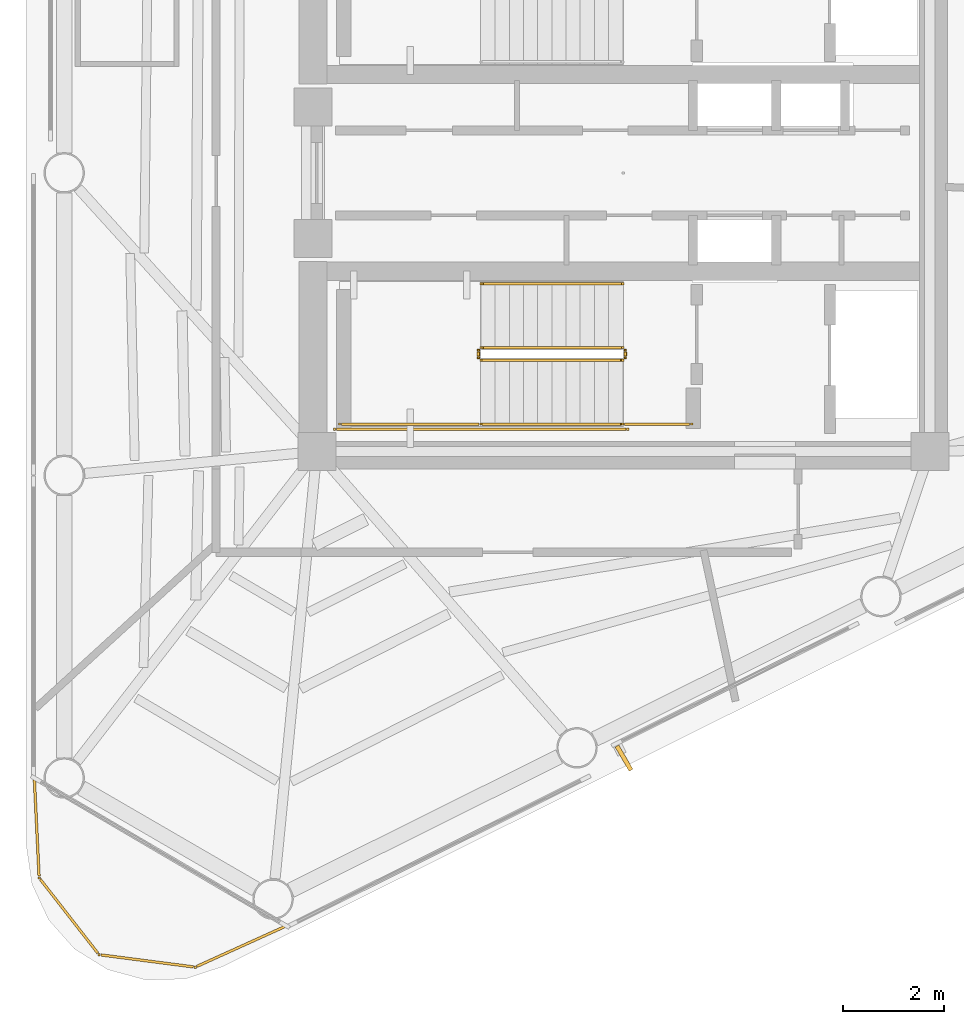
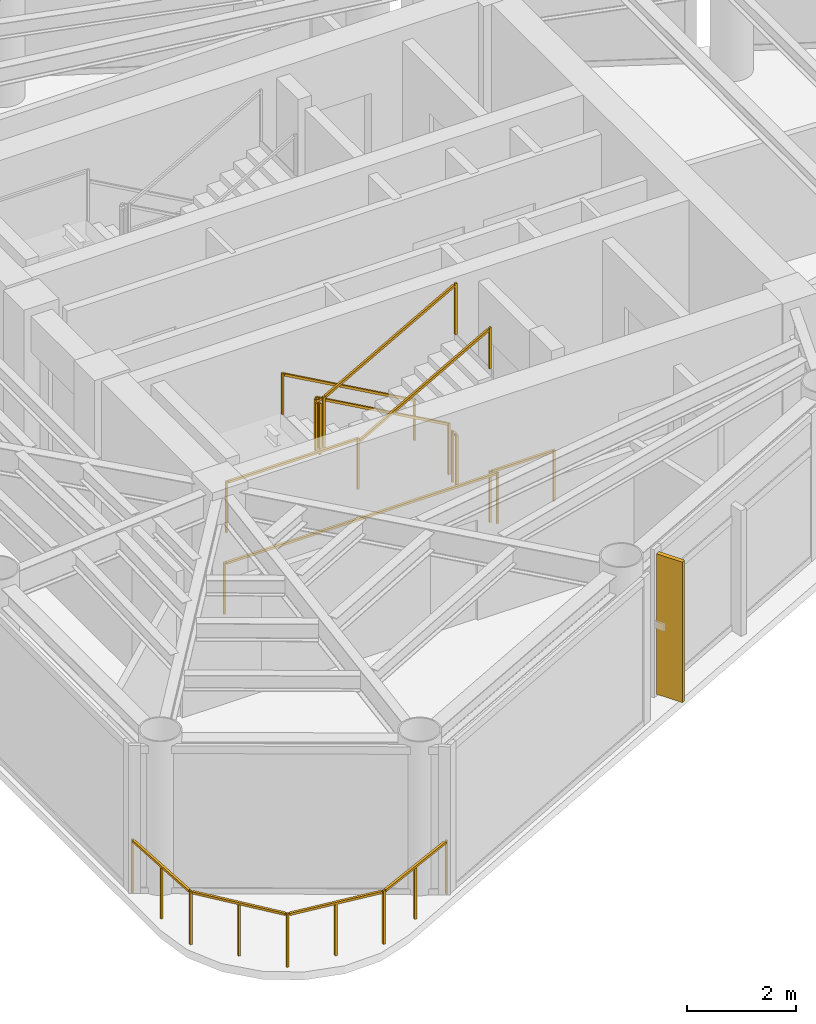
# One storey, part 7 of 10: 10 railings, 1 shading device.
"""IFC4 building model written with IfcOpenShell, lengths in metres."""

from ifc_helpers import new_model, si_unit, direction, frame, origin, origin_2d, place, context, subcontext, project, spatial, rectangle, extrude, source, transform, mapped, material, material_profile, profile_set, type_object, element, save


model = new_model("IFC4")

# Units and contexts
model_context = context("Model", 3, precision=1e-05, world=origin(), true_north=direction((0.0, 1.0)))
body_context = subcontext(model_context, "Body", "Model", "MODEL_VIEW")
ifc_project = project(units=[si_unit("LENGTHUNIT", "METRE"), si_unit("AREAUNIT", "SQUARE_METRE"), si_unit("VOLUMEUNIT", "CUBIC_METRE"), si_unit("PLANEANGLEUNIT", "RADIAN"), si_unit("MASSUNIT", "GRAM", prefix="KILO")], contexts=[model_context])

# Site, building, storey
site_placement = place(None, origin())
site = spatial("IfcSite", under=ifc_project, at=site_placement, CompositionType="ELEMENT")
building_placement = place(site_placement, origin())
building = spatial("IfcBuilding", under=site, at=building_placement, Name="Yunling Apex Tower", CompositionType="ELEMENT")
storey_placement = place(building_placement, frame((0.0, 0.0, 293.300048828125)))
storey = spatial("IfcBuildingStorey", under=building, at=storey_placement, Name="L71", CompositionType="ELEMENT", Elevation=293.300048828125)

# Railings
ifc_material_1 = material(Name="Bronze anodised aluminium", Category="aluminium")
railing_type_1 = type_object("IfcRailingType", Name="RL-BAL-1200", PredefinedType="BALUSTRADE", material=ifc_material_1)
railing_1_placement = place(storey_placement, frame((-6.651123046875, -14.864990234375, 0.0)))
element("IfcRailing", 1, at=railing_1_placement, inside=storey, type_object=railing_type_1, Name="RL-CRNSILL-L71-3", PredefinedType="BALUSTRADE", context=body_context, shape_type="SweptSolid", body=[
    extrude(rectangle(XDim=0.0439453125, YDim=0.0439453125, at=origin_2d()), origin(), (0.0, 0.0, 1.0), 1.199951171875),
    extrude(rectangle(XDim=0.0439453125, YDim=0.0439453125, at=origin_2d()), frame((-1.799560546875, -0.814697265625, 0.0)), (0.0, 0.0, 1.0), 1.199951171875),
    extrude(rectangle(XDim=0.050048828125, YDim=0.050048828125, at=origin_2d()), frame((-0.034912109375, -0.015869140625, 1.1748046875), z_axis=(-0.910991856267, -0.412424341929, 0.0), x_axis=(0.412424341929, -0.910991856267, 0.0)), (0.0, 0.0, 1.0), 1.898681640625),
    extrude(rectangle(XDim=0.0439453125, YDim=0.0439453125, at=origin_2d()), frame((-0.89990234375, -0.4072265625, 0.0)), (0.0, 0.0, 1.0), 1.14599609375),
    extrude(rectangle(XDim=0.0439453125, YDim=0.0439453125, at=origin_2d()), frame((-3.69921875, -0.568603515625, 0.0)), (0.0, 0.0, 1.0), 1.199951171875),
    extrude(rectangle(XDim=0.050048828125, YDim=0.050048828125, at=origin_2d()), frame((-1.837646484375, -0.809814453125, 1.1748046875), z_axis=(-0.991713034877, 0.128472784881, 0.0), x_axis=(-0.128472784881, -0.991713034877, 0.0)), (0.0, 0.0, 1.0), 1.8388671875),
    extrude(rectangle(XDim=0.0439453125, YDim=0.0439453125, at=origin_2d()), frame((-2.74951171875, -0.691650390625, 0.0)), (0.0, 0.0, 1.0), 1.14599609375),
    extrude(rectangle(XDim=0.0439453125, YDim=0.0439453125, at=origin_2d()), frame((-4.880126953125, 0.947265625, 0.0)), (0.0, 0.0, 1.0), 1.199951171875),
    extrude(rectangle(XDim=0.050048828125, YDim=0.050048828125, at=origin_2d()), frame((-3.72265625, -0.538330078125, 1.1748046875), z_axis=(-0.61455614591, 0.788873084548, 0.0), x_axis=(-0.788873084548, -0.61455614591, 0.0)), (0.0, 0.0, 1.0), 1.844970703125),
    extrude(rectangle(XDim=0.0439453125, YDim=0.0439453125, at=origin_2d()), frame((-4.28955078125, 0.189453125, 0.0)), (0.0, 0.0, 1.0), 1.14599609375),
    extrude(rectangle(XDim=0.0439453125, YDim=0.0439453125, at=origin_2d()), frame((-4.97607421875, 2.919677734375, 0.0)), (0.0, 0.0, 1.0), 1.199951171875),
    extrude(rectangle(XDim=0.050048828125, YDim=0.050048828125, at=origin_2d()), frame((-4.882080078125, 0.985595703125, 1.1748046875), z_axis=(-0.048587182269, 0.998818945415, 0.0), x_axis=(-0.998818945415, -0.048587182269, 0.0)), (0.0, 0.0, 1.0), 1.898193359375),
    extrude(rectangle(XDim=0.0439453125, YDim=0.0439453125, at=origin_2d()), frame((-4.92822265625, 1.93359375, 0.0)), (0.0, 0.0, 1.0), 1.14599609375),
])
ifc_material_2 = material(Name="Steel Q355B", Category="steel")
railing_type_2 = type_object("IfcRailingType", Name="RL-GRD-1150", PredefinedType="GUARDRAIL", material=ifc_material_2)
railing_2_placement = place(storey_placement, frame((-0.010009765625, -3.449951171875, 0.15673828125)))
element("IfcRailing", 2, at=railing_2_placement, inside=storey, type_object=railing_type_2, Name="L71 ST-2 stair guard 1", PredefinedType="GUARDRAIL", context=body_context, shape_type="SweptSolid", body=[
    extrude(rectangle(XDim=0.0439453125, YDim=0.0439453125, at=origin_2d()), origin(), (0.0, 0.0, 1.0), 1.14990234375),
    extrude(rectangle(XDim=0.0439453125, YDim=0.0439453125, at=origin_2d()), frame((-2.800048828125, 0.0, 1.568115234375)), (0.0, 0.0, 1.0), 1.14990234375),
    extrude(rectangle(XDim=0.050048828125, YDim=0.050048828125, at=origin_2d()), frame((-0.033447265625, 0.0, 1.1435546875), z_axis=(-0.872494340497, 0.0, 0.48862421737), x_axis=(0.0, -1.0, 0.0)), (0.0, 0.0, 1.0), 3.132568359375),
])
railing_3_placement = place(storey_placement, frame((-2.860107421875, -3.5, 1.724853515625)))
element("IfcRailing", 3, at=railing_3_placement, inside=storey, type_object=railing_type_2, Name="L71 ST-2 stair guard 2", PredefinedType="GUARDRAIL", context=body_context, shape_type="SweptSolid", body=[
    extrude(rectangle(XDim=0.0439453125, YDim=0.0439453125, at=origin_2d()), origin(), (0.0, 0.0, 1.0), 1.14990234375),
    extrude(rectangle(XDim=0.0439453125, YDim=0.0439453125, at=origin_2d()), frame((0.0, -0.14990234375, 0.0)), (0.0, 0.0, 1.0), 1.14990234375),
    extrude(rectangle(XDim=0.050048828125, YDim=0.050048828125, at=origin_2d()), frame((0.0, -0.038330078125, 1.125), z_axis=(0.0, -1.0, 0.0), x_axis=(1.0, 0.0, 0.0)), (0.0, 0.0, 1.0), 0.0732421875),
])
railing_4_placement = place(storey_placement, frame((-2.81005859375, -4.9599609375, 1.724853515625)))
element("IfcRailing", 4, at=railing_4_placement, inside=storey, type_object=railing_type_2, Name="L71 ST-2 stair guard 3", PredefinedType="GUARDRAIL", context=body_context, shape_type="SweptSolid", body=[
    extrude(rectangle(XDim=0.0439453125, YDim=0.0439453125, at=origin_2d()), origin(), (0.0, 0.0, 1.0), 1.14990234375),
    extrude(rectangle(XDim=0.0439453125, YDim=0.0439453125, at=origin_2d()), frame((-2.7900390625, 0.0, 0.0)), (0.0, 0.0, 1.0), 1.14990234375),
    extrude(rectangle(XDim=0.050048828125, YDim=0.050048828125, at=origin_2d()), frame((-0.038330078125, 0.0, 1.125), z_axis=(-1.0, 0.0, 0.0), x_axis=(0.0, -1.0, 0.0)), (0.0, 0.0, 1.0), 2.71337890625),
])
railing_5_placement = place(storey_placement, frame((-2.81005859375, -3.699951171875, 1.8818359375)))
element("IfcRailing", 5, at=railing_5_placement, inside=storey, type_object=railing_type_2, Name="L71 ST-2 stair guard 4", PredefinedType="GUARDRAIL", context=body_context, shape_type="SweptSolid", body=[
    extrude(rectangle(XDim=0.0439453125, YDim=0.0439453125, at=origin_2d()), origin(), (0.0, 0.0, 1.0), 1.14990234375),
    extrude(rectangle(XDim=0.0439453125, YDim=0.0439453125, at=origin_2d()), frame((2.800048828125, 0.0, 1.568115234375)), (0.0, 0.0, 1.0), 1.14990234375),
    extrude(rectangle(XDim=0.050048828125, YDim=0.050048828125, at=origin_2d()), frame((0.033447265625, 0.0, 1.1435546875), z_axis=(0.872494340497, 0.0, 0.48862421737), x_axis=(0.0, 1.0, 0.0)), (0.0, 0.0, 1.0), 3.132568359375),
])
railing_6_placement = place(storey_placement, frame((0.0400390625, -3.5, 0.0)))
element("IfcRailing", 6, at=railing_6_placement, inside=storey, type_object=railing_type_2, Name="L71 ST-2 stair guard 5", PredefinedType="GUARDRAIL", context=body_context, shape_type="SweptSolid", body=[
    extrude(rectangle(XDim=0.0439453125, YDim=0.0439453125, at=origin_2d()), origin(), (0.0, 0.0, 1.0), 1.14990234375),
    extrude(rectangle(XDim=0.0439453125, YDim=0.0439453125, at=origin_2d()), frame((0.0, -0.14990234375, 0.0)), (0.0, 0.0, 1.0), 1.14990234375),
    extrude(rectangle(XDim=0.050048828125, YDim=0.050048828125, at=origin_2d()), frame((0.0, -0.038330078125, 1.125), z_axis=(0.0, -1.0, 0.0), x_axis=(1.0, 0.0, 0.0)), (0.0, 0.0, 1.0), 0.0732421875),
])
railing_7_placement = place(storey_placement, frame((1.35009765625, -4.9599609375, 0.0)))
element("IfcRailing", 7, at=railing_7_placement, inside=storey, type_object=railing_type_2, Name="L71 ST-2 stair guard 6", PredefinedType="GUARDRAIL", context=body_context, shape_type="SweptSolid", body=[
    extrude(rectangle(XDim=0.0439453125, YDim=0.0439453125, at=origin_2d()), origin(), (0.0, 0.0, 1.0), 1.14990234375),
    extrude(rectangle(XDim=0.0439453125, YDim=0.0439453125, at=origin_2d()), frame((-1.360107421875, 0.0, 0.0)), (0.0, 0.0, 1.0), 1.14990234375),
    extrude(rectangle(XDim=0.050048828125, YDim=0.050048828125, at=origin_2d()), frame((-0.038330078125, 0.0, 1.125), z_axis=(-1.0, 0.0, 0.0), x_axis=(0.0, -1.0, 0.0)), (0.0, 0.0, 1.0), 1.283447265625),
])
railing_8_placement = place(storey_placement, frame((0.090087890625, -5.06005859375, 0.0)))
element("IfcRailing", 8, at=railing_8_placement, inside=storey, type_object=railing_type_2, Name="L71 ST-2 stair guard 7", PredefinedType="GUARDRAIL", context=body_context, shape_type="SweptSolid", body=[
    extrude(rectangle(XDim=0.0439453125, YDim=0.0439453125, at=origin_2d()), origin(), (0.0, 0.0, 1.0), 1.14990234375),
    extrude(rectangle(XDim=0.0439453125, YDim=0.0439453125, at=origin_2d()), frame((-5.7900390625, 0.0, 0.0)), (0.0, 0.0, 1.0), 1.14990234375),
    extrude(rectangle(XDim=0.050048828125, YDim=0.050048828125, at=origin_2d()), frame((-0.038330078125, 0.0, 1.125), z_axis=(-1.0, 0.0, 0.0), x_axis=(0.0, -1.0, 0.0)), (0.0, 0.0, 1.0), 5.71337890625),
])
ifc_material_3 = material(Name="Silver anodised aluminium", Category="aluminium")
railing_type_3 = type_object("IfcRailingType", Name="RL-HND-900", PredefinedType="HANDRAIL", material=ifc_material_3)
railing_9_placement = place(storey_placement, frame((-0.010009765625, -2.18994140625, 0.15673828125)))
element("IfcRailing", 9, at=railing_9_placement, inside=storey, type_object=railing_type_3, Name="L71 ST-2 stair handrail 1", PredefinedType="HANDRAIL", context=body_context, shape_type="SweptSolid", body=[
    extrude(rectangle(XDim=0.0439453125, YDim=0.0439453125, at=origin_2d()), origin(), (0.0, 0.0, 1.0), 0.919921875),
    extrude(rectangle(XDim=0.0439453125, YDim=0.0439453125, at=origin_2d()), frame((-2.800048828125, 0.0, 1.568115234375)), (0.0, 0.0, 1.0), 0.919921875),
    extrude(rectangle(XDim=0.050048828125, YDim=0.050048828125, at=origin_2d()), frame((-0.033447265625, 0.0, 0.91357421875), z_axis=(-0.872494340497, 0.0, 0.48862421737), x_axis=(0.0, -1.0, 0.0)), (0.0, 0.0, 1.0), 3.132568359375),
])
railing_10_placement = place(storey_placement, frame((-2.81005859375, -4.9599609375, 1.8818359375)))
element("IfcRailing", 10, at=railing_10_placement, inside=storey, type_object=railing_type_3, Name="L71 ST-2 stair handrail 2", PredefinedType="HANDRAIL", context=body_context, shape_type="SweptSolid", body=[
    extrude(rectangle(XDim=0.0439453125, YDim=0.0439453125, at=origin_2d()), origin(), (0.0, 0.0, 1.0), 0.919921875),
    extrude(rectangle(XDim=0.0439453125, YDim=0.0439453125, at=origin_2d()), frame((2.800048828125, 0.0, 1.568115234375)), (0.0, 0.0, 1.0), 0.919921875),
    extrude(rectangle(XDim=0.050048828125, YDim=0.050048828125, at=origin_2d()), frame((0.033447265625, 0.0, 0.91357421875), z_axis=(0.872494340497, 0.0, 0.48862421737), x_axis=(0.0, 1.0, 0.0)), (0.0, 0.0, 1.0), 3.132568359375),
])

# Shading device
ifc_material_profile = material_profile(ifc_material_1, rectangle(XDim=0.0849609375, YDim=0.550048828125, at=origin_2d()))
ifc_profile_set = profile_set([ifc_material_profile], Name="Bronze anodised aluminium")
shading_device_type = type_object("IfcShadingDeviceType", Name="FN-BRZ-3", PredefinedType="USERDEFINED", material=ifc_profile_set)
shared_shape = source(origin(), body_context, "Body", "SweptSolid", [
    extrude(rectangle(XDim=0.0849609375, YDim=0.550048828125, at=origin_2d()), origin(), (0.0, 0.0, 1.0), 3.14990234375),
])
shading_device_placement = place(storey_placement, frame((0.013671875, -11.553466796875, 0.06005859375), z_axis=(0.0, 0.0, 1.0), x_axis=(0.864186995248, 0.503170783377, 0.0)))
element("IfcShadingDevice", 11, at=shading_device_placement, inside=storey, type_object=shading_device_type, Name="CW-L71-F1-B2-FIN-01", ObjectType="FIN", PredefinedType="USERDEFINED", context=body_context, shape_type="MappedRepresentation", body=[
    mapped(shared_shape, transform((0.0, 0.0, 0.0), scale=1.0)),
])

save(model, "model.ifc")
